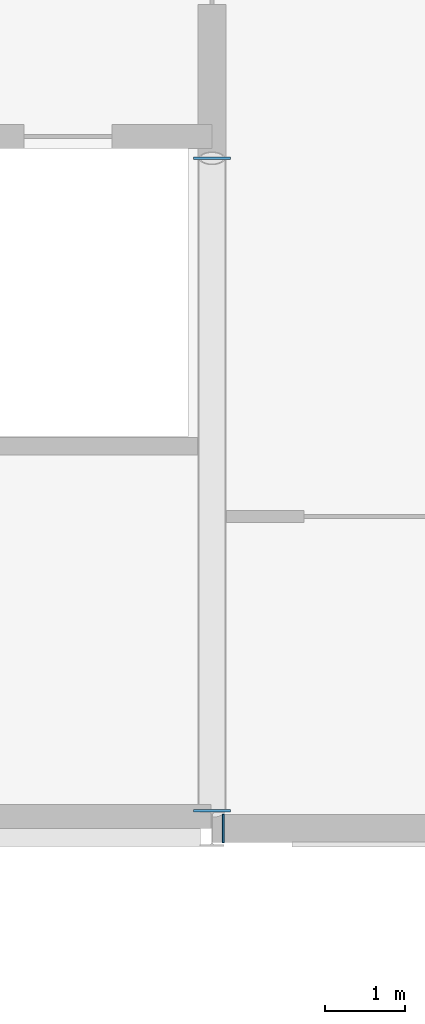
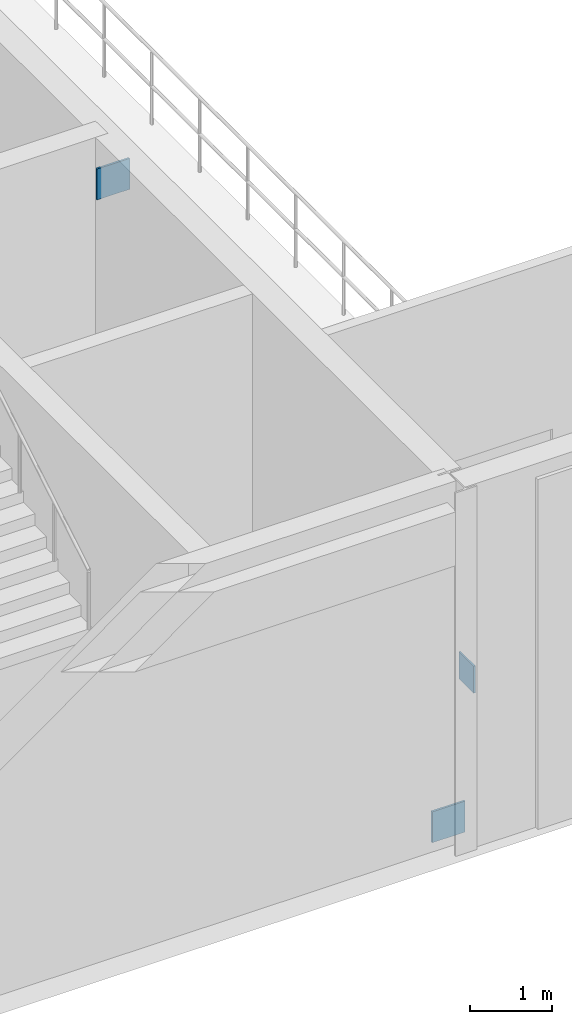
# One storey, part 26 of 38: 3 plates.
"""IFC4 building model written with IfcOpenShell, lengths in metres."""

from ifc_helpers import new_model, si_unit, direction, frame, origin, origin_2d, place, context, subcontext, project, spatial, rectangle, extrude, material, layer, layer_set, type_object, element, save


model = new_model("IFC4")

# Units and contexts
model_context = context("Model", 3, precision=1e-05, world=origin(), true_north=direction((0.0, 1.0)))
body_context = subcontext(model_context, "Body", "Model", "MODEL_VIEW")
ifc_project = project(units=[si_unit("LENGTHUNIT", "METRE"), si_unit("AREAUNIT", "SQUARE_METRE"), si_unit("VOLUMEUNIT", "CUBIC_METRE"), si_unit("PLANEANGLEUNIT", "RADIAN"), si_unit("MASSUNIT", "GRAM", prefix="KILO")], contexts=[model_context])

# Site, building, storey
site_placement = place(None, origin())
site = spatial("IfcSite", under=ifc_project, at=site_placement, CompositionType="ELEMENT")
building_placement = place(site_placement, origin())
building = spatial("IfcBuilding", under=site, at=building_placement, Name="Muzn Square Opera House", CompositionType="ELEMENT")
storey_placement = place(building_placement, frame((0.0, 0.0, 18.0)))
storey = spatial("IfcBuildingStorey", under=building, at=storey_placement, Name="L04", CompositionType="ELEMENT", Elevation=18.0)

# Plates
ifc_material = material(Name="Steel S355", Category="steel")
ifc_layer_1 = layer(ifc_material, 0.028076171875, Name="Steel S355", Category="steel")
ifc_layer_set_1 = layer_set([ifc_layer_1], Name="Steel S355")
plate_type_1 = type_object("IfcPlateType", Name="Gusset Plate 28mm 460x460", PredefinedType="USERDEFINED", material=ifc_layer_set_1)
for number, where, z_axis, x_axis, name in (
    (1, (73.0, 72.820068359375, -0.030029296875), (0.0, 0.0, 1.0), (1.0, 0.0, 0.0), "Lateral Brace End Cap Plate SBRC-01-A"),
    (2, (73.0, 80.97998046875, 4.570068359375), (0.0, 0.0, 1.0), (1.0, 0.0, 0.0), "Lateral Brace End Cap Plate SBRC-01-B"),
):
    element("IfcPlate", number, at=place(storey_placement, frame(where, z_axis=z_axis, x_axis=x_axis)), inside=storey, type_object=plate_type_1, Name=name, ObjectType="GUSSET PLATE", PredefinedType="USERDEFINED", context=body_context, shape_type="SweptSolid", body=[
        extrude(rectangle(XDim=0.4599609375, YDim=0.028076171875, at=origin_2d()), origin(), (0.0, 0.0, 1.0), 0.4599609375),
    ])
ifc_layer_2 = layer(ifc_material, 0.02392578125, Name="Steel S355", Category="steel")
ifc_layer_set_2 = layer_set([ifc_layer_2], Name="Steel S355")
plate_type_2 = type_object("IfcPlateType", Name="Proscenium End Plate 24mm 360x400", PredefinedType="USERDEFINED", material=ifc_layer_set_2)
plate_placement = place(storey_placement, frame((73.139892578125, 72.60009765625, 2.300048828125), z_axis=(0.0, 0.0, 1.0), x_axis=(1.0, 0.0, 0.0)))
element("IfcPlate", 3, at=plate_placement, inside=storey, type_object=plate_type_2, Name="Proscenium Chord End Plate PRCH-02-W", ObjectType="GUSSET PLATE", PredefinedType="USERDEFINED", context=body_context, shape_type="SweptSolid", body=[
    extrude(rectangle(XDim=0.02392578125, YDim=0.360107421875, at=origin_2d()), origin(), (0.0, 0.0, 1.0), 0.39990234375),
])

save(model, "model.ifc")
